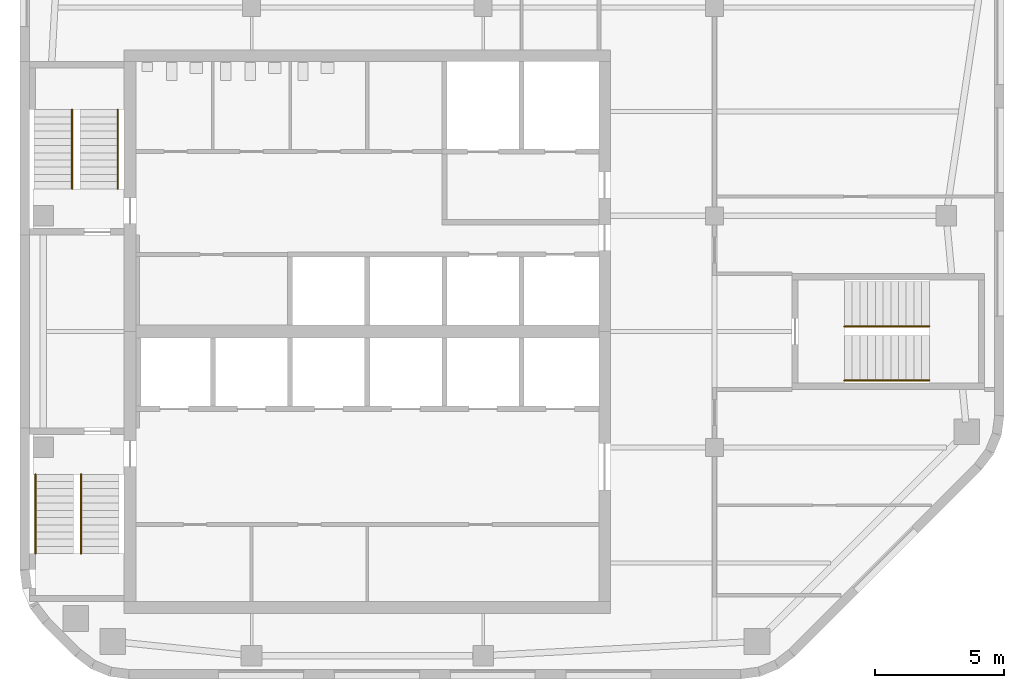
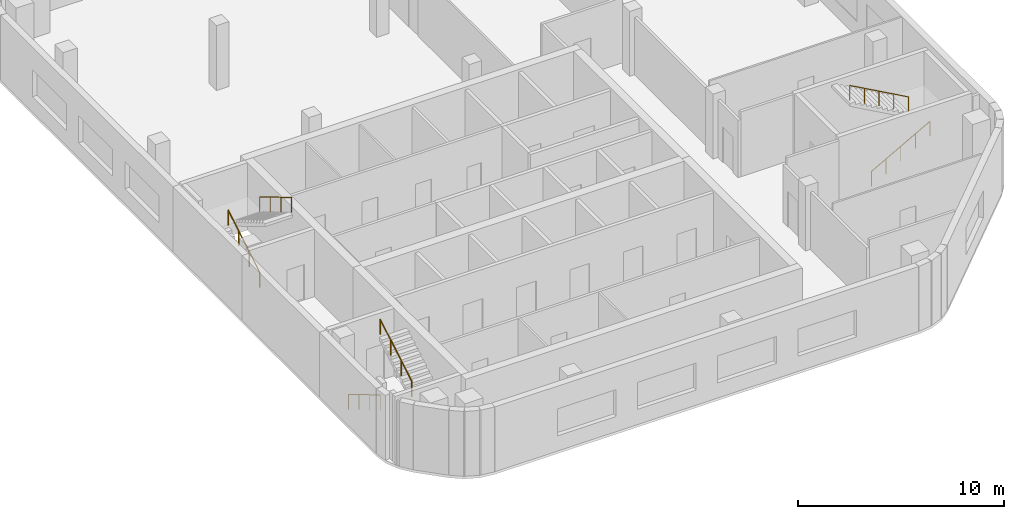
# One storey, part 6 of 7: 6 railings, 3 elements without a shape of their own.
"""IFC4 building model written with IfcOpenShell, lengths in metres."""

import ifcopenshell
import ifcopenshell.guid

model = None  # the IFC model being written
_history = None  # IfcOwnerHistory: only IFC2X3 demands one
_inside = {}  # id of a spatial element -> (the spatial element, [elements in it])
_under = {}  # id of a project, library or spatial element -> (it, [spatial elements below it])
_declared = {}  # id of a project -> (the project, [libraries it declares])
_typed = {}  # id of a type object -> (the type object, [elements of that type])
_made_of = {}  # id of a material, layer set ... -> (it, [elements and type objects made of it])


def new_model(schema):
    """Start an empty IFC model of exactly this schema.

    Asked for "IFC4X3", IfcOpenShell would pick the latest addendum, in which some entities
    have other attributes; the version numbers below select the first issue.
    IFC2X3 requires an IfcOwnerHistory on every rooted entity: one is made here for all.
    """
    global model, _history
    if schema == "IFC4X3":
        model = ifcopenshell.file(schema_version=(4, 3, 0, 0))
    else:
        model = ifcopenshell.file(schema=schema)
    _inside.clear()
    _under.clear()
    _declared.clear()
    _typed.clear()
    _made_of.clear()
    _history = None
    if model.schema == "IFC2X3":
        org = make("IfcOrganization", Name="unknown")
        user = make(
            "IfcPersonAndOrganization",
            ThePerson=make("IfcPerson", FamilyName="unknown"),
            TheOrganization=org,
        )
        app = make(
            "IfcApplication",
            ApplicationDeveloper=org,
            Version="unknown",
            ApplicationFullName="unknown",
            ApplicationIdentifier="unknown",
        )
        _history = make(
            "IfcOwnerHistory",
            OwningUser=user,
            OwningApplication=app,
            ChangeAction="ADDED",
            CreationDate=0,
        )
    return model


def make(cls, **values):
    """One entity of the class cls with the attributes given. An attribute that is None is left unset."""
    return model.create_entity(
        cls, **{name: value for name, value in values.items() if value is not None}
    )


def rooted(cls, **values):
    """An entity with a GlobalId (a new one), such as an element, a storey or a relation."""
    return make(cls, GlobalId=ifcopenshell.guid.new(), OwnerHistory=_history, **values)


def si_unit(unit_type, name, prefix=None):
    """IfcSIUnit, for example si_unit("LENGTHUNIT", "METRE", prefix="MILLI")."""
    return make("IfcSIUnit", UnitType=unit_type, Prefix=prefix, Name=name)


def assignment(units):
    """IfcUnitAssignment: the units of a project."""
    return None if units is None else make("IfcUnitAssignment", Units=units)


def point(xyz):
    """IfcCartesianPoint."""
    return None if xyz is None else make("IfcCartesianPoint", Coordinates=xyz)


def direction(xyz):
    """IfcDirection."""
    return None if xyz is None else make("IfcDirection", DirectionRatios=xyz)


def frame(location, z_axis=None, x_axis=None):
    """IfcAxis2Placement3D, a coordinate frame: its origin and axes. An axis left out is left unset."""
    return make(
        "IfcAxis2Placement3D",
        Location=point(location),
        Axis=direction(z_axis),
        RefDirection=direction(x_axis),
    )


def frame_2d(location, x_axis=None):
    """IfcAxis2Placement2D, a coordinate frame in the plane: its origin and x axis."""
    return make(
        "IfcAxis2Placement2D", Location=point(location), RefDirection=direction(x_axis)
    )


def origin():
    """The frame at (0, 0, 0) with its axes left unset."""
    return frame((0.0, 0.0, 0.0))


def origin_2d():
    """The frame at (0, 0) in the plane with its x axis left unset."""
    return frame_2d((0.0, 0.0))


def place(relative_to, where):
    """IfcLocalPlacement: puts the frame where relative to a parent placement (None: the world)."""
    return make(
        "IfcLocalPlacement", PlacementRelTo=relative_to, RelativePlacement=where
    )


def context(
    kind, dimensions, precision=None, world=None, true_north=None, identifier=None
):
    """IfcGeometricRepresentationContext, for example the 3D "Model" context."""
    return make(
        "IfcGeometricRepresentationContext",
        ContextIdentifier=identifier,
        ContextType=kind,
        CoordinateSpaceDimension=dimensions,
        Precision=precision,
        WorldCoordinateSystem=world,
        TrueNorth=true_north,
    )


def subcontext(parent, identifier, kind, view, scale=None):
    """IfcGeometricRepresentationSubContext, for example "Body" below "Model"."""
    return make(
        "IfcGeometricRepresentationSubContext",
        ContextIdentifier=identifier,
        ContextType=kind,
        ParentContext=parent,
        TargetScale=scale,
        TargetView=view,
    )


def project(units=None, contexts=None):
    """IfcProject with its units and contexts."""
    return rooted(
        "IfcProject",
        Name="project",
        RepresentationContexts=contexts,
        UnitsInContext=assignment(units),
    )


def spatial(cls, under=None, at=None, **own):
    """A site, building, storey or space (cls), placed at a placement, below another one or the project."""
    s = rooted(cls, ObjectPlacement=at, **own)
    if under is not None:
        _under.setdefault(under.id(), (under, []))[1].append(s)
    return s


def profile(cls, at=None, kind="AREA", **sizes):
    """A parametric profile (cls). Its sizes go by their IFC names, for example OverallWidth=200.0."""
    return make(cls, ProfileType=kind, Position=at, **sizes)


def circle(**sizes):
    """IfcCircleProfileDef."""
    return profile("IfcCircleProfileDef", **sizes)


def extrude(swept, where, along, depth):
    """IfcExtrudedAreaSolid: the profile swept, set in the frame where, extruded along a direction by depth."""
    return make(
        "IfcExtrudedAreaSolid",
        SweptArea=swept,
        Position=where,
        ExtrudedDirection=direction(along),
        Depth=depth,
    )


def shape(context_of_items, identifier, shape_type, items):
    """IfcShapeRepresentation: the items that make up one representation, for example the "Body"."""
    return make(
        "IfcShapeRepresentation",
        ContextOfItems=context_of_items,
        RepresentationIdentifier=identifier,
        RepresentationType=shape_type,
        Items=items,
    )


def material(Name=None, Category=None):
    """IfcMaterial."""
    return make("IfcMaterial", Name=Name, Category=Category)


def made_of(thing, what):
    """Note that an element or type object is made of a material, layer set ...; save() writes the relation."""
    if what is not None:
        _made_of.setdefault(what.id(), (what, []))[1].append(thing)
    return thing


def type_object(cls, material=None, **own):
    """A type object (cls), such as IfcWallType, which elements share."""
    return made_of(rooted(cls, **own), material)


def element(
    cls,
    number,
    at=None,
    inside=None,
    cuts=None,
    type_object=None,
    material=None,
    context=None,
    identifier="Body",
    shape_type=None,
    held_by="IfcProductDefinitionShape",
    body=None,
    shapes=None,
    **own,
):
    """One element of the class cls, such as IfcWall. Its Tag is "e" and its number.

    at: its placement. inside: the storey or other place that contains it. cuts: it is an
    opening in that element (IfcRelVoidsElement). A single representation is given by context,
    identifier, shape_type and body (its items); several are given by shapes. held_by: the class
    of the entity that holds the representations. save() writes the other relations.
    """
    e = rooted(cls, Tag="e%d" % number, ObjectPlacement=at, **own)
    if body is not None:
        shapes = [shape(context, identifier, shape_type, body)]
    if shapes is not None:
        e.Representation = make(held_by, Representations=shapes)
    if inside is not None:
        _inside.setdefault(inside.id(), (inside, []))[1].append(e)
    if cuts is not None:
        rooted(
            "IfcRelVoidsElement", RelatingBuildingElement=cuts, RelatedOpeningElement=e
        )
    if type_object is not None:
        _typed.setdefault(type_object.id(), (type_object, []))[1].append(e)
    return made_of(e, material)


def aggregate(whole, parts):
    """IfcRelAggregates: a whole, such as a stair, and the parts it consists of."""
    return rooted("IfcRelAggregates", RelatingObject=whole, RelatedObjects=parts)


def save(model, path):
    """Write the relations noted so far, then the file.

    IfcRelAggregates (storeys below a building ...), IfcRelContainedInSpatialStructure (elements
    in a storey), IfcRelDefinesByType, IfcRelAssociatesMaterial and IfcRelDeclares: one each for
    every whole, place, type object, material and project.
    """
    for whole, parts in _under.values():
        aggregate(whole, parts)
    for where, things in _inside.values():
        rooted(
            "IfcRelContainedInSpatialStructure",
            RelatedElements=things,
            RelatingStructure=where,
        )
    for kind, things in _typed.values():
        rooted("IfcRelDefinesByType", RelatedObjects=things, RelatingType=kind)
    for what, things in _made_of.values():
        rooted("IfcRelAssociatesMaterial", RelatedObjects=things, RelatingMaterial=what)
    for by, libraries in _declared.values():
        rooted("IfcRelDeclares", RelatingContext=by, RelatedDefinitions=libraries)
    model.write(path)


model = new_model("IFC4")

# Units and contexts
model_context = context("Model", 3, precision=1e-05, world=origin(), true_north=direction((0.0, 1.0)))
body_context = subcontext(model_context, "Body", "Model", "MODEL_VIEW")
ifc_project = project(units=[si_unit("LENGTHUNIT", "METRE"), si_unit("AREAUNIT", "SQUARE_METRE"), si_unit("VOLUMEUNIT", "CUBIC_METRE"), si_unit("PLANEANGLEUNIT", "RADIAN"), si_unit("MASSUNIT", "GRAM", prefix="KILO")], contexts=[model_context])

# Site, building, storey
site_placement = place(None, origin())
site = spatial("IfcSite", under=ifc_project, at=site_placement, CompositionType="ELEMENT")
building_placement = place(site_placement, origin())
building = spatial("IfcBuilding", under=site, at=building_placement, Name="Cinnabar Reach Civic Tower", CompositionType="ELEMENT")
storey_placement = place(building_placement, frame((0.0, 0.0, 259.0)))
storey = spatial("IfcBuildingStorey", under=building, at=storey_placement, Name="L62", CompositionType="ELEMENT", Elevation=259.0)

# Stair, railings
ifc_material_1 = material(Name="Concrete C40/50", Category="concrete")
stair_type = type_object("IfcStairType", Name="T1 Exit stair, half-turn", PredefinedType="HALF_TURN_STAIR", material=ifc_material_1)
stair_1_placement = place(storey_placement, origin())
stair_1 = element("IfcStair", 1, at=stair_1_placement, inside=storey, type_object=stair_type, Name="Stair T1-S1", PredefinedType="HALF_TURN_STAIR")
ifc_material_2 = material(Name="Stainless steel tube", Category="steel")
railing_type = type_object("IfcRailingType", Name="T1 Stair handrail, stainless tube 48", PredefinedType="HANDRAIL", material=ifc_material_2)
railing_1_placement = place(storey_placement, frame((0.6, 25.95, 0.1667)))
railing_1 = element("IfcRailing", 2, at=railing_1_placement, type_object=railing_type, Name="T1-S1 handrail 1", PredefinedType="HANDRAIL", context=body_context, shape_type="SweptSolid", body=[
    extrude(circle(Radius=0.024, at=origin_2d()), frame((0.0, 0.0, 0.876), z_axis=(0.0, -0.859296971757, 0.511476992962), x_axis=(1.0, 0.0, 0.0)), (0.0, 0.0, 1.0), 3.5843),
    extrude(circle(Radius=0.021, at=origin_2d()), origin(), (0.0, 0.0, 1.0), 0.852),
    extrude(circle(Radius=0.021, at=origin_2d()), frame((0.0, -1.0267, 0.6111)), (0.0, 0.0, 1.0), 0.852),
    extrude(circle(Radius=0.021, at=origin_2d()), frame((0.0, -2.0533, 1.2222)), (0.0, 0.0, 1.0), 0.852),
    extrude(circle(Radius=0.021, at=origin_2d()), frame((0.0, -3.08, 1.8333)), (0.0, 0.0, 1.0), 0.852),
])
railing_2_placement = place(storey_placement, frame((2.375, 22.87, 2.1667)))
railing_2 = element("IfcRailing", 3, at=railing_2_placement, type_object=railing_type, Name="T1-S1 handrail 2", PredefinedType="HANDRAIL", context=body_context, shape_type="SweptSolid", body=[
    extrude(circle(Radius=0.024, at=origin_2d()), frame((0.0, 0.0, 0.876), z_axis=(0.0, 0.859296971757, 0.511476992962), x_axis=(-1.0, 0.0, 0.0)), (0.0, 0.0, 1.0), 3.5843),
    extrude(circle(Radius=0.021, at=origin_2d()), origin(), (0.0, 0.0, 1.0), 0.852),
    extrude(circle(Radius=0.021, at=origin_2d()), frame((0.0, 1.0267, 0.6111)), (0.0, 0.0, 1.0), 0.852),
    extrude(circle(Radius=0.021, at=origin_2d()), frame((0.0, 2.0533, 1.2222)), (0.0, 0.0, 1.0), 0.852),
    extrude(circle(Radius=0.021, at=origin_2d()), frame((0.0, 3.08, 1.8333)), (0.0, 0.0, 1.0), 0.852),
])
aggregate(stair_1, [railing_1, railing_2])

stair_2_placement = place(storey_placement, origin())
stair_2 = element("IfcStair", 4, at=stair_2_placement, inside=storey, type_object=stair_type, Name="Stair T1-S2", PredefinedType="HALF_TURN_STAIR")
railing_3_placement = place(storey_placement, frame((2.025, 37.05, 0.1667)))
railing_3 = element("IfcRailing", 5, at=railing_3_placement, type_object=railing_type, Name="T1-S2 handrail 1", PredefinedType="HANDRAIL", context=body_context, shape_type="SweptSolid", body=[
    extrude(circle(Radius=0.024, at=origin_2d()), frame((0.0, 0.0, 0.876), z_axis=(0.0, 0.859296971757, 0.511476992962), x_axis=(-1.0, 0.0, 0.0)), (0.0, 0.0, 1.0), 3.5843),
    extrude(circle(Radius=0.021, at=origin_2d()), origin(), (0.0, 0.0, 1.0), 0.852),
    extrude(circle(Radius=0.021, at=origin_2d()), frame((0.0, 1.0267, 0.6111)), (0.0, 0.0, 1.0), 0.852),
    extrude(circle(Radius=0.021, at=origin_2d()), frame((0.0, 2.0533, 1.2222)), (0.0, 0.0, 1.0), 0.852),
    extrude(circle(Radius=0.021, at=origin_2d()), frame((0.0, 3.08, 1.8333)), (0.0, 0.0, 1.0), 0.852),
])
railing_4_placement = place(storey_placement, frame((3.8, 40.13, 2.1667)))
railing_4 = element("IfcRailing", 6, at=railing_4_placement, type_object=railing_type, Name="T1-S2 handrail 2", PredefinedType="HANDRAIL", context=body_context, shape_type="SweptSolid", body=[
    extrude(circle(Radius=0.024, at=origin_2d()), frame((0.0, 0.0, 0.876), z_axis=(0.0, -0.859296971757, 0.511476992962), x_axis=(1.0, 0.0, 0.0)), (0.0, 0.0, 1.0), 3.5843),
    extrude(circle(Radius=0.021, at=origin_2d()), origin(), (0.0, 0.0, 1.0), 0.852),
    extrude(circle(Radius=0.021, at=origin_2d()), frame((0.0, -1.0267, 0.6111)), (0.0, 0.0, 1.0), 0.852),
    extrude(circle(Radius=0.021, at=origin_2d()), frame((0.0, -2.0533, 1.2222)), (0.0, 0.0, 1.0), 0.852),
    extrude(circle(Radius=0.021, at=origin_2d()), frame((0.0, -3.08, 1.8333)), (0.0, 0.0, 1.0), 0.852),
])
aggregate(stair_2, [railing_3, railing_4])

stair_3_placement = place(storey_placement, origin())
stair_3 = element("IfcStair", 7, at=stair_3_placement, inside=storey, type_object=stair_type, Name="Stair T1-S3", PredefinedType="HALF_TURN_STAIR")
railing_5_placement = place(storey_placement, frame((32.05, 29.6, 0.1667)))
railing_5 = element("IfcRailing", 8, at=railing_5_placement, type_object=railing_type, Name="T1-S3 handrail 1", PredefinedType="HANDRAIL", context=body_context, shape_type="SweptSolid", body=[
    extrude(circle(Radius=0.024, at=origin_2d()), frame((0.0, 0.0, 0.876), z_axis=(0.874161024642, 0.0, 0.485636183781), x_axis=(0.0, 1.0, 0.0)), (0.0, 0.0, 1.0), 3.775),
    extrude(circle(Radius=0.021, at=origin_2d()), origin(), (0.0, 0.0, 1.0), 0.852),
    extrude(circle(Radius=0.021, at=origin_2d()), frame((0.825, 0.0, 0.4583)), (0.0, 0.0, 1.0), 0.852),
    extrude(circle(Radius=0.021, at=origin_2d()), frame((1.65, 0.0, 0.9167)), (0.0, 0.0, 1.0), 0.852),
    extrude(circle(Radius=0.021, at=origin_2d()), frame((2.475, 0.0, 1.375)), (0.0, 0.0, 1.0), 0.852),
    extrude(circle(Radius=0.021, at=origin_2d()), frame((3.3, 0.0, 1.8333)), (0.0, 0.0, 1.0), 0.852),
])
railing_6_placement = place(storey_placement, frame((35.35, 31.7, 2.1667)))
railing_6 = element("IfcRailing", 9, at=railing_6_placement, type_object=railing_type, Name="T1-S3 handrail 2", PredefinedType="HANDRAIL", context=body_context, shape_type="SweptSolid", body=[
    extrude(circle(Radius=0.024, at=origin_2d()), frame((0.0, 0.0, 0.876), z_axis=(-0.874161024642, 0.0, 0.485636183781), x_axis=(0.0, -1.0, 0.0)), (0.0, 0.0, 1.0), 3.775),
    extrude(circle(Radius=0.021, at=origin_2d()), origin(), (0.0, 0.0, 1.0), 0.852),
    extrude(circle(Radius=0.021, at=origin_2d()), frame((-0.825, 0.0, 0.4583)), (0.0, 0.0, 1.0), 0.852),
    extrude(circle(Radius=0.021, at=origin_2d()), frame((-1.65, 0.0, 0.9167)), (0.0, 0.0, 1.0), 0.852),
    extrude(circle(Radius=0.021, at=origin_2d()), frame((-2.475, 0.0, 1.375)), (0.0, 0.0, 1.0), 0.852),
    extrude(circle(Radius=0.021, at=origin_2d()), frame((-3.3, 0.0, 1.8333)), (0.0, 0.0, 1.0), 0.852),
])
aggregate(stair_3, [railing_5, railing_6])

save(model, "model.ifc")
